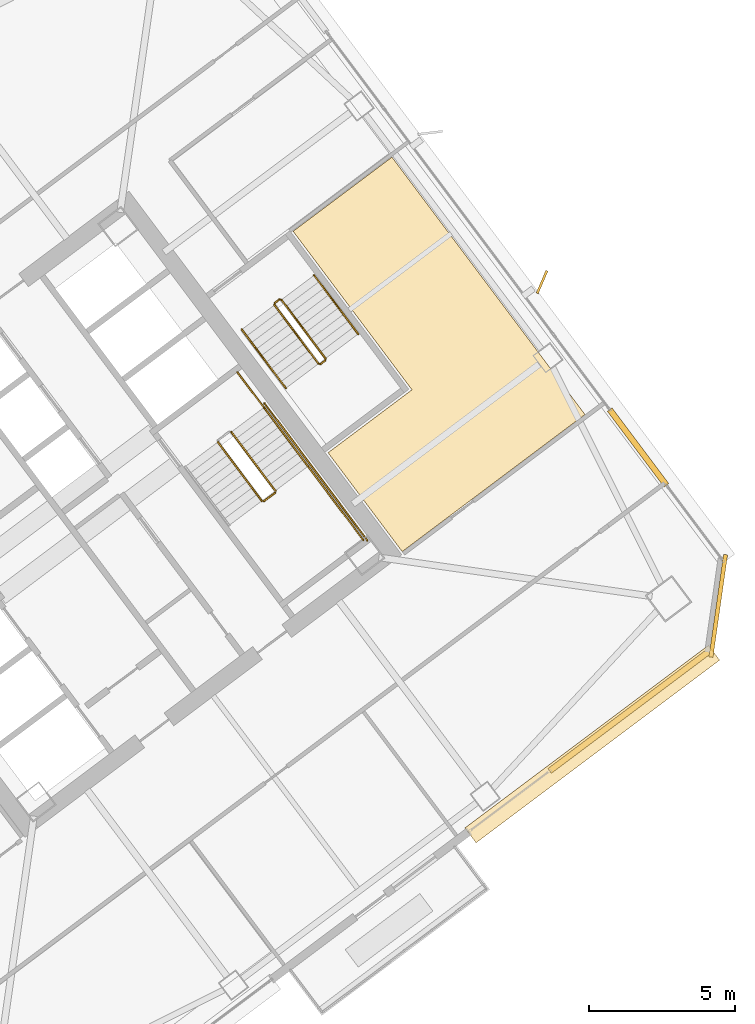
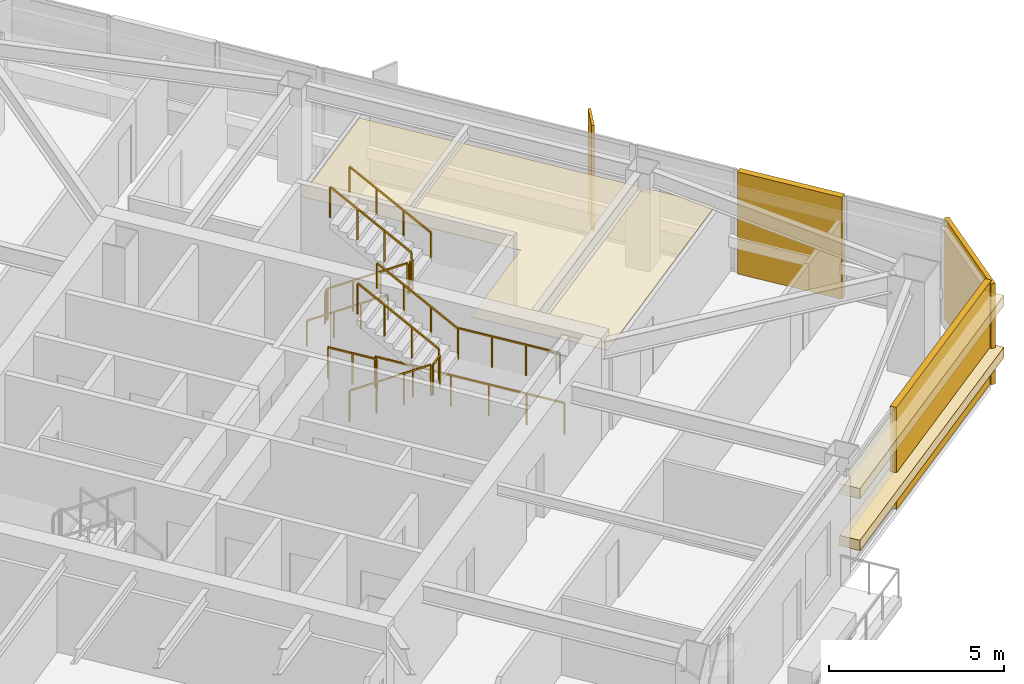
# One storey, part 45 of 46: 13 railings, 6 coverings, 1 shading device.
"""IFC4 building model written with IfcOpenShell, lengths in metres."""

from ifc_helpers import new_model, si_unit, direction, frame, origin, origin_2d, place, context, subcontext, project, spatial, polyline, rectangle, outline, extrude, material, layer, layer_set, type_object, element, save


model = new_model("IFC4")

# Units and contexts
model_context = context("Model", 3, precision=1e-05, world=origin(), true_north=direction((0.0, 1.0)))
body_context = subcontext(model_context, "Body", "Model", "MODEL_VIEW")
ifc_project = project(units=[si_unit("LENGTHUNIT", "METRE"), si_unit("AREAUNIT", "SQUARE_METRE"), si_unit("VOLUMEUNIT", "CUBIC_METRE"), si_unit("PLANEANGLEUNIT", "RADIAN"), si_unit("MASSUNIT", "GRAM", prefix="KILO")], contexts=[model_context])

# Site, building, storey
site_placement = place(None, origin())
site = spatial("IfcSite", under=ifc_project, at=site_placement, CompositionType="ELEMENT")
building_placement = place(site_placement, origin())
building = spatial("IfcBuilding", under=site, at=building_placement, Name="Tashvorn Skyway Center", CompositionType="ELEMENT")
storey_placement = place(building_placement, frame((0.0, 0.0, 167.64990234375)))
storey = spatial("IfcBuildingStorey", under=building, at=storey_placement, Name="L45", CompositionType="ELEMENT", Elevation=167.64990234375)

# Coverings
ifc_material_1 = material(Name="Precast concrete C40/50", Category="concrete")
ifc_layer_1 = layer(ifc_material_1, 0.199951171875)
ifc_layer_set_1 = layer_set([ifc_layer_1], Name="Precast concrete C40/50")
covering_type_1 = type_object("IfcCoveringType", Name="COV-BRACE-CLAD", PredefinedType="CLADDING", material=ifc_layer_set_1)
covering_1_placement = place(storey_placement, frame((132.977294921875, 25.258056640625, 0.0), z_axis=(0.0, 0.0, 1.0), x_axis=(-0.799999996291, -0.600000004945, 0.0)))
element("IfcCovering", 1, at=covering_1_placement, inside=storey, type_object=covering_type_1, Name="Tower 2 L45 South Curtain Wall L Mega-Brace Cladding Band 1", PredefinedType="CLADDING", context=body_context, shape_type="SweptSolid", body=[
    extrude(rectangle(XDim=6.88671875, YDim=0.199951171875, at=origin_2d()), origin(), (0.0, 0.0, 1.0), 3.550048828125),
])
covering_2_placement = place(storey_placement, frame((133.256103515625, 34.2919921875, 0.0), z_axis=(0.0, 0.0, 1.0), x_axis=(0.600000004945, -0.799999996291, 0.0)))
element("IfcCovering", 2, at=covering_2_placement, inside=storey, type_object=covering_type_1, Name="Tower 2 L45 East Unitised Curtain Wall Mega-Brace Cladding Band 2", PredefinedType="CLADDING", context=body_context, shape_type="SweptSolid", body=[
    extrude(rectangle(XDim=3.239990234375, YDim=0.199951171875, at=origin_2d()), origin(), (0.0, 0.0, 1.0), 3.550048828125),
])
ifc_material_2 = material(Name="Mineral-fibre acoustic ceiling tile on suspended grid")
ifc_layer_2 = layer(ifc_material_2, 0.02001953125)
ifc_layer_set_2 = layer_set([ifc_layer_2], Name="Mineral-fibre acoustic ceiling tile on suspended grid")
covering_type_2 = type_object("IfcCoveringType", Name="COV-CEIL-20", PredefinedType="CEILING", material=ifc_layer_set_2)
covering_3_placement = place(storey_placement, frame((0.0, 0.0, 2.703125)))
element("IfcCovering", 3, at=covering_3_placement, inside=storey, type_object=covering_type_2, Name="Tower 2 L45 Public Restroom Acoustic Ceiling", PredefinedType="CEILING", context=body_context, shape_type="SweptSolid", body=[
    extrude(outline(polyline([(125.159912109375, 30.719970703125), (122.615966796875, 34.112060546875), (125.49609375, 36.27197265625), (121.416015625, 41.7119140625), (124.80810546875, 44.256103515625), (128.887939453125, 38.81591796875), (131.431884765625, 35.424072265625), (125.159912109375, 30.719970703125)])), origin(), (0.0, 0.0, 1.0), 0.02001953125),
])
ifc_material_3 = material(Name="Perforated ceramic-coated bronze aluminium solar screen", Category="aluminium")
ifc_layer_3 = layer(ifc_material_3, 0.85009765625)
ifc_layer_set_3 = layer_set([ifc_layer_3], Name="Perforated ceramic-coated bronze aluminium solar screen")
covering_type_3 = type_object("IfcCoveringType", Name="COV-SOLAR-BAND", PredefinedType="CLADDING", material=ifc_layer_set_3)
for number, where, z_axis, x_axis, name in (
    (4, (131.68408203125, 24.113037109375, 0.919921875), (0.0, 0.0, 1.0), (-0.799999996291, -0.600000004945, 0.0), "L45 Perforated Ceramic-Metal Solar Screen Louvre Band South 1"),
    (5, (131.68408203125, 24.113037109375, 2.72021484375), (0.0, 0.0, 1.0), (-0.799999996291, -0.600000004945, 0.0), "L45 Perforated Ceramic-Metal Solar Screen Louvre Band South 2"),
):
    element("IfcCovering", number, at=place(storey_placement, frame(where, z_axis=z_axis, x_axis=x_axis)), inside=storey, type_object=covering_type_3, Name=name, PredefinedType="CLADDING", context=body_context, shape_type="SweptSolid", body=[
        extrude(rectangle(XDim=10.449951171875, YDim=0.639892578125, at=origin_2d()), origin(), (0.0, 0.0, 1.0), 0.360107421875),
    ])
ifc_layer_4 = layer(ifc_material_1, 0.35009765625)
ifc_layer_set_4 = layer_set([ifc_layer_4], Name="Precast concrete C40/50")
covering_type_4 = type_object("IfcCoveringType", Name="COV-STONE-TRIM", PredefinedType="CLADDING", material=ifc_layer_set_4)
covering_4_placement = place(storey_placement, frame((136.008056640625, 28.85595703125, 0.02001953125), z_axis=(0.0, 0.0, 1.0), x_axis=(0.141421350118, 0.989949494535, 0.0)))
element("IfcCovering", 6, at=covering_4_placement, inside=storey, type_object=covering_type_4, Name="Tower 2 L45 SE Mojave Limestone Corner Quoin", PredefinedType="CLADDING", context=body_context, shape_type="SweptSolid", body=[
    extrude(rectangle(XDim=3.55419921875, YDim=0.139892578125, at=origin_2d()), origin(), (0.0, 0.0, 1.0), 3.510009765625),
])

# Railings
ifc_material_4 = material(Name="Brushed stainless steel 316", Category="steel")
railing_type_1 = type_object("IfcRailingType", Name="RAIL-HAND-920", PredefinedType="HANDRAIL", material=ifc_material_4)
railing_1_placement = place(storey_placement, frame((121.927978515625, 33.64599609375, 1.95263671875)))
element("IfcRailing", 7, at=railing_1_placement, inside=storey, type_object=railing_type_1, Name="L45 ST-T2-2 stair handrail 2", PredefinedType="HANDRAIL", context=body_context, shape_type="SweptSolid", body=[
    extrude(rectangle(XDim=0.048095703125, YDim=0.048095703125, at=origin_2d()), frame((0.0, 0.0, 0.8759765625), z_axis=(-0.506740800098, 0.675708949977, 0.535379469569), x_axis=(-0.800023250257, -0.599968998406, 0.0)), (0.0, 0.0, 1.0), 2.983642578125),
    extrude(rectangle(XDim=0.0419921875, YDim=0.0419921875, at=origin_2d()), origin(), (0.0, 0.0, 1.0), 0.851806640625),
    extrude(rectangle(XDim=0.0419921875, YDim=0.0419921875, at=origin_2d()), frame((-0.50390625, 0.672119140625, 0.532470703125)), (0.0, 0.0, 1.0), 0.851806640625),
    extrude(rectangle(XDim=0.0419921875, YDim=0.0419921875, at=origin_2d()), frame((-1.008056640625, 1.343994140625, 1.06494140625)), (0.0, 0.0, 1.0), 0.851806640625),
    extrude(rectangle(XDim=0.0419921875, YDim=0.0419921875, at=origin_2d()), frame((-1.511962890625, 2.01611328125, 1.597412109375)), (0.0, 0.0, 1.0), 0.851806640625),
])
railing_2_placement = place(storey_placement, frame((119.656005859375, 38.342041015625, 0.177490234375)))
element("IfcRailing", 8, at=railing_2_placement, inside=storey, type_object=railing_type_1, Name="L45 ST-T2-3 stair handrail 1", PredefinedType="HANDRAIL", context=body_context, shape_type="SweptSolid", body=[
    extrude(rectangle(XDim=0.048095703125, YDim=0.048095703125, at=origin_2d()), frame((0.0, 0.0, 0.8759765625), z_axis=(0.506718600913, -0.675679348675, 0.535437836974), x_axis=(0.800023250257, 0.599968998406, 0.0)), (0.0, 0.0, 1.0), 2.98388671875),
    extrude(rectangle(XDim=0.0419921875, YDim=0.0419921875, at=origin_2d()), origin(), (0.0, 0.0, 1.0), 0.851806640625),
    extrude(rectangle(XDim=0.0419921875, YDim=0.0419921875, at=origin_2d()), frame((0.50390625, -0.672119140625, 0.532470703125)), (0.0, 0.0, 1.0), 0.851806640625),
    extrude(rectangle(XDim=0.0419921875, YDim=0.0419921875, at=origin_2d()), frame((1.008056640625, -1.343994140625, 1.065185546875)), (0.0, 0.0, 1.0), 0.851806640625),
    extrude(rectangle(XDim=0.0419921875, YDim=0.0419921875, at=origin_2d()), frame((1.511962890625, -2.01611328125, 1.59765625)), (0.0, 0.0, 1.0), 0.851806640625),
])
railing_3_placement = place(storey_placement, frame((123.64794921875, 38.18603515625, 1.95263671875)))
element("IfcRailing", 9, at=railing_3_placement, inside=storey, type_object=railing_type_1, Name="L45 ST-T2-3 stair handrail 2", PredefinedType="HANDRAIL", context=body_context, shape_type="SweptSolid", body=[
    extrude(rectangle(XDim=0.048095703125, YDim=0.048095703125, at=origin_2d()), frame((0.0, 0.0, 0.8759765625), z_axis=(-0.506768818287, 0.675664481285, 0.535409071218), x_axis=(-0.79998837352, -0.60001550166, 0.0)), (0.0, 0.0, 1.0), 2.983642578125),
    extrude(rectangle(XDim=0.0419921875, YDim=0.0419921875, at=origin_2d()), origin(), (0.0, 0.0, 1.0), 0.851806640625),
    extrude(rectangle(XDim=0.0419921875, YDim=0.0419921875, at=origin_2d()), frame((-0.50390625, 0.671875, 0.532470703125)), (0.0, 0.0, 1.0), 0.851806640625),
    extrude(rectangle(XDim=0.0419921875, YDim=0.0419921875, at=origin_2d()), frame((-1.008056640625, 1.343994140625, 1.06494140625)), (0.0, 0.0, 1.0), 0.851806640625),
    extrude(rectangle(XDim=0.0419921875, YDim=0.0419921875, at=origin_2d()), frame((-1.511962890625, 2.015869140625, 1.597412109375)), (0.0, 0.0, 1.0), 0.851806640625),
])
ifc_material_5 = material(Name="Painted galvanized steel S355", Category="steel")
railing_type_2 = type_object("IfcRailingType", Name="RAIL-STGUARD-1100", PredefinedType="GUARDRAIL", material=ifc_material_5)
railing_4_placement = place(storey_placement, frame((118.83203125, 34.47412109375, 0.177490234375)))
element("IfcRailing", 10, at=railing_4_placement, inside=storey, type_object=railing_type_2, Name="L45 ST-T2-2 stair guard 1", PredefinedType="GUARDRAIL", context=body_context, shape_type="SweptSolid", body=[
    extrude(rectangle(XDim=0.048095703125, YDim=0.048095703125, at=origin_2d()), frame((0.0, 0.0, 1.076171875), z_axis=(0.506718600913, -0.675679348675, 0.535437836974), x_axis=(0.800023250257, 0.599968998406, 0.0)), (0.0, 0.0, 1.0), 2.98388671875),
    extrude(rectangle(XDim=0.0419921875, YDim=0.0419921875, at=origin_2d()), origin(), (0.0, 0.0, 1.0), 1.052001953125),
    extrude(rectangle(XDim=0.0419921875, YDim=0.0419921875, at=origin_2d()), frame((0.50390625, -0.672119140625, 0.532470703125)), (0.0, 0.0, 1.0), 1.052001953125),
    extrude(rectangle(XDim=0.0419921875, YDim=0.0419921875, at=origin_2d()), frame((1.008056640625, -1.343994140625, 1.065185546875)), (0.0, 0.0, 1.0), 1.052001953125),
    extrude(rectangle(XDim=0.0419921875, YDim=0.0419921875, at=origin_2d()), frame((1.511962890625, -2.01611328125, 1.59765625)), (0.0, 0.0, 1.0), 1.052001953125),
])
railing_5_placement = place(storey_placement, frame((120.4140625, 32.447998046875, 1.775146484375)))
element("IfcRailing", 11, at=railing_5_placement, inside=storey, type_object=railing_type_2, Name="L45 ST-T2-2 stair guard 2", PredefinedType="GUARDRAIL", context=body_context, shape_type="SweptSolid", body=[
    extrude(rectangle(XDim=0.048095703125, YDim=0.048095703125, at=origin_2d()), frame((0.0, 0.0, 1.076171875), z_axis=(0.799938970639, 0.600081363861, 0.0), x_axis=(-0.600081363861, 0.799938970639, 0.0)), (0.0, 0.0, 1.0), 0.47998046875),
    extrude(rectangle(XDim=0.0419921875, YDim=0.0419921875, at=origin_2d()), origin(), (0.0, 0.0, 1.0), 1.052001953125),
    extrude(rectangle(XDim=0.0419921875, YDim=0.0419921875, at=origin_2d()), frame((0.384033203125, 0.2880859375, 0.0)), (0.0, 0.0, 1.0), 1.052001953125),
])
railing_6_placement = place(storey_placement, frame((121.927978515625, 33.64599609375, 1.775146484375)))
element("IfcRailing", 12, at=railing_6_placement, inside=storey, type_object=railing_type_2, Name="L45 ST-T2-2 stair guard 3", PredefinedType="GUARDRAIL", context=body_context, shape_type="SweptSolid", body=[
    extrude(rectangle(XDim=0.048095703125, YDim=0.048095703125, at=origin_2d()), frame((0.0, 0.0, 1.076171875), z_axis=(0.599987638607, -0.800009270896, 0.0), x_axis=(0.800009270896, 0.599987638607, 0.0)), (0.0, 0.0, 1.0), 3.16015625),
    extrude(rectangle(XDim=0.0419921875, YDim=0.0419921875, at=origin_2d()), origin(), (0.0, 0.0, 1.0), 1.052001953125),
    extrude(rectangle(XDim=0.0419921875, YDim=0.0419921875, at=origin_2d()), frame((0.632080078125, -0.8427734375, 0.0)), (0.0, 0.0, 1.0), 1.052001953125),
    extrude(rectangle(XDim=0.0419921875, YDim=0.0419921875, at=origin_2d()), frame((1.263916015625, -1.685302734375, 0.0)), (0.0, 0.0, 1.0), 1.052001953125),
    extrude(rectangle(XDim=0.0419921875, YDim=0.0419921875, at=origin_2d()), frame((1.89599609375, -2.528076171875, 0.0)), (0.0, 0.0, 1.0), 1.052001953125),
])
railing_7_placement = place(storey_placement, frame((120.80810546875, 32.805908203125, 1.95263671875)))
element("IfcRailing", 13, at=railing_7_placement, inside=storey, type_object=railing_type_2, Name="L45 ST-T2-2 stair guard 4", PredefinedType="GUARDRAIL", context=body_context, shape_type="SweptSolid", body=[
    extrude(rectangle(XDim=0.048095703125, YDim=0.048095703125, at=origin_2d()), frame((0.0, 0.0, 1.076171875), z_axis=(-0.506801609611, 0.675680931896, 0.535357270211), x_axis=(-0.799976749893, -0.600030998891, 0.0)), (0.0, 0.0, 1.0), 2.98388671875),
    extrude(rectangle(XDim=0.0419921875, YDim=0.0419921875, at=origin_2d()), origin(), (0.0, 0.0, 1.0), 1.052001953125),
    extrude(rectangle(XDim=0.0419921875, YDim=0.0419921875, at=origin_2d()), frame((-0.504150390625, 0.672119140625, 0.532470703125)), (0.0, 0.0, 1.0), 1.052001953125),
    extrude(rectangle(XDim=0.0419921875, YDim=0.0419921875, at=origin_2d()), frame((-1.008056640625, 1.343994140625, 1.06494140625)), (0.0, 0.0, 1.0), 1.052001953125),
    extrude(rectangle(XDim=0.0419921875, YDim=0.0419921875, at=origin_2d()), frame((-1.51220703125, 2.01611328125, 1.597412109375)), (0.0, 0.0, 1.0), 1.052001953125),
])
railing_8_placement = place(storey_placement, frame((119.50390625, 36.8779296875, 0.0)))
element("IfcRailing", 14, at=railing_8_placement, inside=storey, type_object=railing_type_2, Name="L45 ST-T2-2 stair guard 6", PredefinedType="GUARDRAIL", context=body_context, shape_type="SweptSolid", body=[
    extrude(rectangle(XDim=0.048095703125, YDim=0.048095703125, at=origin_2d()), frame((0.0, 0.0, 1.076171875), z_axis=(0.600102796382, -0.799922892393, 0.0), x_axis=(0.799922892393, 0.600102796382, 0.0)), (0.0, 0.0, 1.0), 1.52001953125),
    extrude(rectangle(XDim=0.0419921875, YDim=0.0419921875, at=origin_2d()), origin(), (0.0, 0.0, 1.0), 1.052001953125),
    extrude(rectangle(XDim=0.0419921875, YDim=0.0419921875, at=origin_2d()), frame((0.4560546875, -0.60791015625, 0.0)), (0.0, 0.0, 1.0), 1.052001953125),
    extrude(rectangle(XDim=0.0419921875, YDim=0.0419921875, at=origin_2d()), frame((0.912109375, -1.2158203125, 0.0)), (0.0, 0.0, 1.0), 1.052001953125),
])
railing_9_placement = place(storey_placement, frame((120.43603515625, 35.802001953125, 0.0)))
element("IfcRailing", 15, at=railing_9_placement, inside=storey, type_object=railing_type_2, Name="L45 ST-T2-2 stair guard 7", PredefinedType="GUARDRAIL", context=body_context, shape_type="SweptSolid", body=[
    extrude(rectangle(XDim=0.048095703125, YDim=0.048095703125, at=origin_2d()), frame((0.0, 0.0, 1.076171875), z_axis=(0.6, -0.8, 0.0), x_axis=(0.8, 0.6, 0.0)), (0.0, 0.0, 1.0), 5.880126953125),
    extrude(rectangle(XDim=0.0419921875, YDim=0.0419921875, at=origin_2d()), origin(), (0.0, 0.0, 1.0), 1.052001953125),
    extrude(rectangle(XDim=0.0419921875, YDim=0.0419921875, at=origin_2d()), frame((0.70556640625, -0.94091796875, 0.0)), (0.0, 0.0, 1.0), 1.052001953125),
    extrude(rectangle(XDim=0.0419921875, YDim=0.0419921875, at=origin_2d()), frame((1.4111328125, -1.881591796875, 0.0)), (0.0, 0.0, 1.0), 1.052001953125),
    extrude(rectangle(XDim=0.0419921875, YDim=0.0419921875, at=origin_2d()), frame((2.116943359375, -2.822509765625, 0.0)), (0.0, 0.0, 1.0), 1.052001953125),
    extrude(rectangle(XDim=0.0419921875, YDim=0.0419921875, at=origin_2d()), frame((2.822509765625, -3.76318359375, 0.0)), (0.0, 0.0, 1.0), 1.052001953125),
    extrude(rectangle(XDim=0.0419921875, YDim=0.0419921875, at=origin_2d()), frame((3.528076171875, -4.7041015625, 0.0)), (0.0, 0.0, 1.0), 1.052001953125),
])
railing_10_placement = place(storey_placement, frame((120.77587890625, 39.181884765625, 0.177490234375)))
element("IfcRailing", 16, at=railing_10_placement, inside=storey, type_object=railing_type_2, Name="L45 ST-T2-3 stair guard 1", PredefinedType="GUARDRAIL", context=body_context, shape_type="SweptSolid", body=[
    extrude(rectangle(XDim=0.048095703125, YDim=0.048095703125, at=origin_2d()), frame((0.0, 0.0, 1.076171875), z_axis=(0.506807425148, -0.675606863004, 0.535445235739), x_axis=(0.799941867976, 0.600077501544, 0.0)), (0.0, 0.0, 1.0), 2.98388671875),
    extrude(rectangle(XDim=0.0419921875, YDim=0.0419921875, at=origin_2d()), origin(), (0.0, 0.0, 1.0), 1.052001953125),
    extrude(rectangle(XDim=0.0419921875, YDim=0.0419921875, at=origin_2d()), frame((0.504150390625, -0.671875, 0.532470703125)), (0.0, 0.0, 1.0), 1.052001953125),
    extrude(rectangle(XDim=0.0419921875, YDim=0.0419921875, at=origin_2d()), frame((1.008056640625, -1.343994140625, 1.065185546875)), (0.0, 0.0, 1.0), 1.052001953125),
    extrude(rectangle(XDim=0.0419921875, YDim=0.0419921875, at=origin_2d()), frame((1.51220703125, -2.015869140625, 1.59765625)), (0.0, 0.0, 1.0), 1.052001953125),
])
railing_11_placement = place(storey_placement, frame((122.35791015625, 37.156005859375, 1.775146484375)))
element("IfcRailing", 17, at=railing_11_placement, inside=storey, type_object=railing_type_2, Name="L45 ST-T2-3 stair guard 2", PredefinedType="GUARDRAIL", context=body_context, shape_type="SweptSolid", body=[
    extrude(rectangle(XDim=0.048095703125, YDim=0.048095703125, at=origin_2d()), frame((0.0, 0.0, 1.076171875), z_axis=(0.800585412921, 0.599218655098, 0.0), x_axis=(-0.599218655098, 0.800585412921, 0.0)), (0.0, 0.0, 1.0), 0.199951171875),
    extrude(rectangle(XDim=0.0419921875, YDim=0.0419921875, at=origin_2d()), origin(), (0.0, 0.0, 1.0), 1.052001953125),
    extrude(rectangle(XDim=0.0419921875, YDim=0.0419921875, at=origin_2d()), frame((0.16015625, 0.119873046875, 0.0)), (0.0, 0.0, 1.0), 1.052001953125),
])
railing_12_placement = place(storey_placement, frame((122.528076171875, 37.345947265625, 1.95263671875)))
element("IfcRailing", 18, at=railing_12_placement, inside=storey, type_object=railing_type_2, Name="L45 ST-T2-3 stair guard 3", PredefinedType="GUARDRAIL", context=body_context, shape_type="SweptSolid", body=[
    extrude(rectangle(XDim=0.048095703125, YDim=0.048095703125, at=origin_2d()), frame((0.0, 0.0, 1.076171875), z_axis=(-0.506740800098, 0.675708949977, 0.535379469569), x_axis=(-0.800023250257, -0.599968998406, 0.0)), (0.0, 0.0, 1.0), 2.983642578125),
    extrude(rectangle(XDim=0.0419921875, YDim=0.0419921875, at=origin_2d()), origin(), (0.0, 0.0, 1.0), 1.052001953125),
    extrude(rectangle(XDim=0.0419921875, YDim=0.0419921875, at=origin_2d()), frame((-0.50390625, 0.672119140625, 0.532470703125)), (0.0, 0.0, 1.0), 1.052001953125),
    extrude(rectangle(XDim=0.0419921875, YDim=0.0419921875, at=origin_2d()), frame((-1.008056640625, 1.343994140625, 1.06494140625)), (0.0, 0.0, 1.0), 1.052001953125),
    extrude(rectangle(XDim=0.0419921875, YDim=0.0419921875, at=origin_2d()), frame((-1.511962890625, 2.01611328125, 1.597412109375)), (0.0, 0.0, 1.0), 1.052001953125),
])
railing_13_placement = place(storey_placement, frame((120.785888671875, 39.251953125, 0.0)))
element("IfcRailing", 19, at=railing_13_placement, inside=storey, type_object=railing_type_2, Name="L45 ST-T2-3 stair guard 4", PredefinedType="GUARDRAIL", context=body_context, shape_type="SweptSolid", body=[
    extrude(rectangle(XDim=0.048095703125, YDim=0.048095703125, at=origin_2d()), frame((0.0, 0.0, 1.076171875), z_axis=(0.8, 0.6, 0.0), x_axis=(-0.6, 0.8, 0.0)), (0.0, 0.0, 1.0), 0.2001953125),
    extrude(rectangle(XDim=0.0419921875, YDim=0.0419921875, at=origin_2d()), origin(), (0.0, 0.0, 1.0), 1.052001953125),
    extrude(rectangle(XDim=0.0419921875, YDim=0.0419921875, at=origin_2d()), frame((0.16015625, 0.1201171875, 0.0)), (0.0, 0.0, 1.0), 1.052001953125),
])

# Shading device
ifc_layer_5 = layer(ifc_material_3, 0.06005859375)
ifc_layer_set_5 = layer_set([ifc_layer_5], Name="Perforated ceramic-coated bronze aluminium solar screen")
shading_device_type = type_object("IfcShadingDeviceType", Name="SHD-SOLAR-850", PredefinedType="USERDEFINED", material=ifc_layer_set_5)
shading_device_placement = place(storey_placement, frame((129.9599609375, 39.969970703125, -0.099853515625), z_axis=(0.0, 0.0, 1.0), x_axis=(0.919615244699, -0.392820317343, 0.0)))
element("IfcShadingDevice", 20, at=shading_device_placement, inside=storey, type_object=shading_device_type, Name="Tower 2 L45 Perforated Ceramic-Metal Solar Screen E1", ObjectType="SCREEN", PredefinedType="USERDEFINED", context=body_context, shape_type="SweptSolid", body=[
    extrude(rectangle(XDim=0.080078125, YDim=0.85009765625, at=origin_2d()), origin(), (0.0, 0.0, 1.0), 3.64990234375),
])

save(model, "model.ifc")
